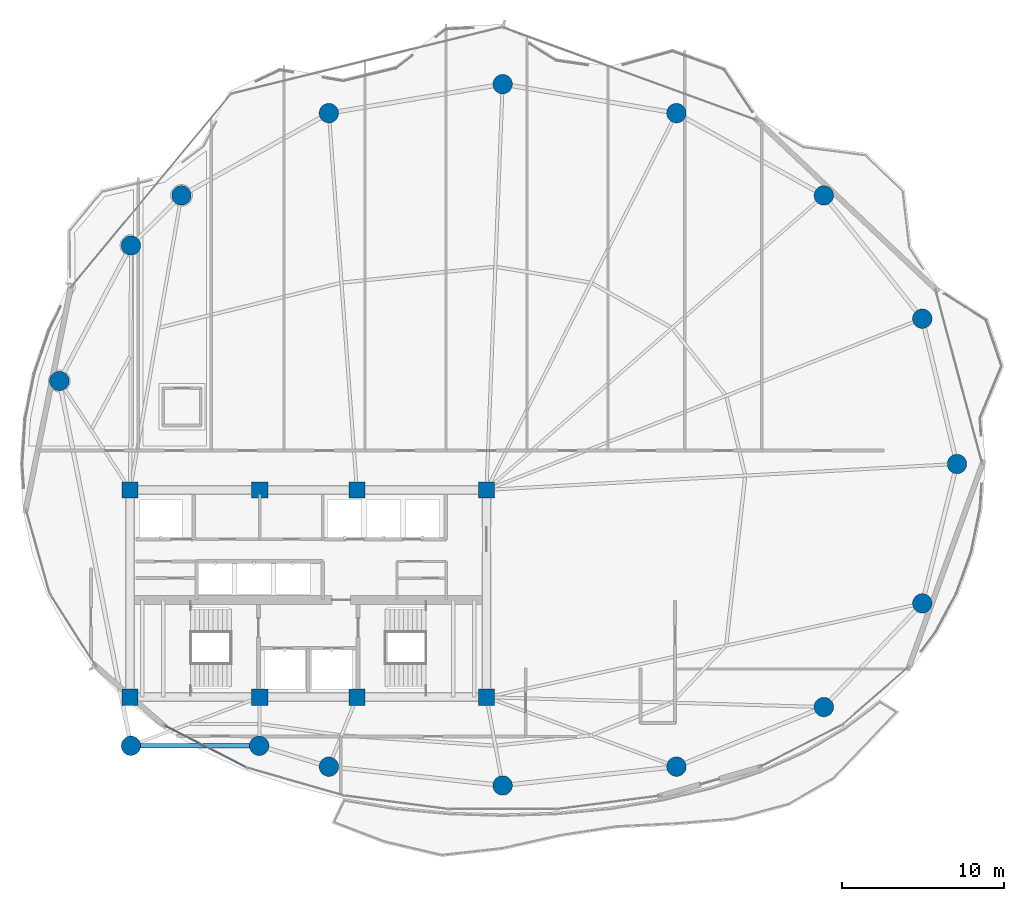
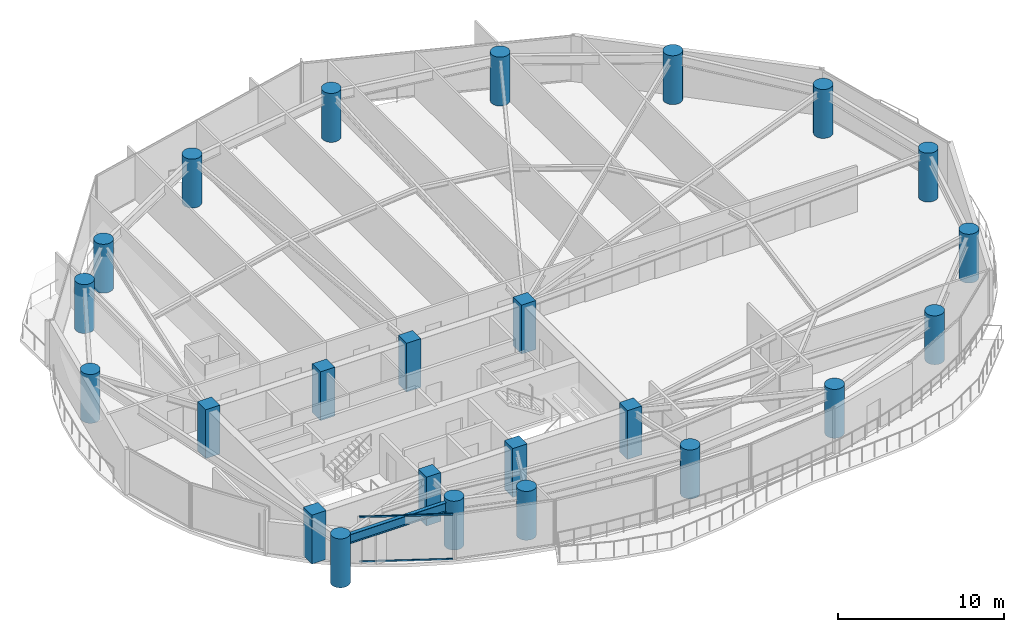
# One storey, part 1 of 28: 24 columns, 2 members, 1 beam, 1 element without a shape of its own.
"""IFC4 building model written with IfcOpenShell, lengths in metres."""

import ifcopenshell
import ifcopenshell.guid

model = None  # the IFC model being written
_history = None  # IfcOwnerHistory: only IFC2X3 demands one
_inside = {}  # id of a spatial element -> (the spatial element, [elements in it])
_under = {}  # id of a project, library or spatial element -> (it, [spatial elements below it])
_declared = {}  # id of a project -> (the project, [libraries it declares])
_typed = {}  # id of a type object -> (the type object, [elements of that type])
_made_of = {}  # id of a material, layer set ... -> (it, [elements and type objects made of it])


def new_model(schema):
    """Start an empty IFC model of exactly this schema.

    Asked for "IFC4X3", IfcOpenShell would pick the latest addendum, in which some entities
    have other attributes; the version numbers below select the first issue.
    IFC2X3 requires an IfcOwnerHistory on every rooted entity: one is made here for all.
    """
    global model, _history
    if schema == "IFC4X3":
        model = ifcopenshell.file(schema_version=(4, 3, 0, 0))
    else:
        model = ifcopenshell.file(schema=schema)
    _inside.clear()
    _under.clear()
    _declared.clear()
    _typed.clear()
    _made_of.clear()
    _history = None
    if model.schema == "IFC2X3":
        org = make("IfcOrganization", Name="unknown")
        user = make(
            "IfcPersonAndOrganization",
            ThePerson=make("IfcPerson", FamilyName="unknown"),
            TheOrganization=org,
        )
        app = make(
            "IfcApplication",
            ApplicationDeveloper=org,
            Version="unknown",
            ApplicationFullName="unknown",
            ApplicationIdentifier="unknown",
        )
        _history = make(
            "IfcOwnerHistory",
            OwningUser=user,
            OwningApplication=app,
            ChangeAction="ADDED",
            CreationDate=0,
        )
    return model


def make(cls, **values):
    """One entity of the class cls with the attributes given. An attribute that is None is left unset."""
    return model.create_entity(
        cls, **{name: value for name, value in values.items() if value is not None}
    )


def rooted(cls, **values):
    """An entity with a GlobalId (a new one), such as an element, a storey or a relation."""
    return make(cls, GlobalId=ifcopenshell.guid.new(), OwnerHistory=_history, **values)


def si_unit(unit_type, name, prefix=None):
    """IfcSIUnit, for example si_unit("LENGTHUNIT", "METRE", prefix="MILLI")."""
    return make("IfcSIUnit", UnitType=unit_type, Prefix=prefix, Name=name)


def assignment(units):
    """IfcUnitAssignment: the units of a project."""
    return None if units is None else make("IfcUnitAssignment", Units=units)


def point(xyz):
    """IfcCartesianPoint."""
    return None if xyz is None else make("IfcCartesianPoint", Coordinates=xyz)


def direction(xyz):
    """IfcDirection."""
    return None if xyz is None else make("IfcDirection", DirectionRatios=xyz)


def frame(location, z_axis=None, x_axis=None):
    """IfcAxis2Placement3D, a coordinate frame: its origin and axes. An axis left out is left unset."""
    return make(
        "IfcAxis2Placement3D",
        Location=point(location),
        Axis=direction(z_axis),
        RefDirection=direction(x_axis),
    )


def frame_2d(location, x_axis=None):
    """IfcAxis2Placement2D, a coordinate frame in the plane: its origin and x axis."""
    return make(
        "IfcAxis2Placement2D", Location=point(location), RefDirection=direction(x_axis)
    )


def origin():
    """The frame at (0, 0, 0) with its axes left unset."""
    return frame((0.0, 0.0, 0.0))


def origin_2d():
    """The frame at (0, 0) in the plane with its x axis left unset."""
    return frame_2d((0.0, 0.0))


def place(relative_to, where):
    """IfcLocalPlacement: puts the frame where relative to a parent placement (None: the world)."""
    return make(
        "IfcLocalPlacement", PlacementRelTo=relative_to, RelativePlacement=where
    )


def context(
    kind, dimensions, precision=None, world=None, true_north=None, identifier=None
):
    """IfcGeometricRepresentationContext, for example the 3D "Model" context."""
    return make(
        "IfcGeometricRepresentationContext",
        ContextIdentifier=identifier,
        ContextType=kind,
        CoordinateSpaceDimension=dimensions,
        Precision=precision,
        WorldCoordinateSystem=world,
        TrueNorth=true_north,
    )


def subcontext(parent, identifier, kind, view, scale=None):
    """IfcGeometricRepresentationSubContext, for example "Body" below "Model"."""
    return make(
        "IfcGeometricRepresentationSubContext",
        ContextIdentifier=identifier,
        ContextType=kind,
        ParentContext=parent,
        TargetScale=scale,
        TargetView=view,
    )


def project(units=None, contexts=None):
    """IfcProject with its units and contexts."""
    return rooted(
        "IfcProject",
        Name="project",
        RepresentationContexts=contexts,
        UnitsInContext=assignment(units),
    )


def spatial(cls, under=None, at=None, **own):
    """A site, building, storey or space (cls), placed at a placement, below another one or the project."""
    s = rooted(cls, ObjectPlacement=at, **own)
    if under is not None:
        _under.setdefault(under.id(), (under, []))[1].append(s)
    return s


def profile(cls, at=None, kind="AREA", **sizes):
    """A parametric profile (cls). Its sizes go by their IFC names, for example OverallWidth=200.0."""
    return make(cls, ProfileType=kind, Position=at, **sizes)


def rectangle(**sizes):
    """IfcRectangleProfileDef."""
    return profile("IfcRectangleProfileDef", **sizes)


def hollow_rectangle(**sizes):
    """IfcRectangleHollowProfileDef."""
    return profile("IfcRectangleHollowProfileDef", **sizes)


def circle(**sizes):
    """IfcCircleProfileDef."""
    return profile("IfcCircleProfileDef", **sizes)


def i_section(**sizes):
    """IfcIShapeProfileDef."""
    return profile("IfcIShapeProfileDef", **sizes)


def extrude(swept, where, along, depth):
    """IfcExtrudedAreaSolid: the profile swept, set in the frame where, extruded along a direction by depth."""
    return make(
        "IfcExtrudedAreaSolid",
        SweptArea=swept,
        Position=where,
        ExtrudedDirection=direction(along),
        Depth=depth,
    )


def shape(context_of_items, identifier, shape_type, items):
    """IfcShapeRepresentation: the items that make up one representation, for example the "Body"."""
    return make(
        "IfcShapeRepresentation",
        ContextOfItems=context_of_items,
        RepresentationIdentifier=identifier,
        RepresentationType=shape_type,
        Items=items,
    )


def material(Name=None, Category=None):
    """IfcMaterial."""
    return make("IfcMaterial", Name=Name, Category=Category)


def layer(
    of_material, thickness, ventilated=None, Name=None, Category=None, Priority=None
):
    """IfcMaterialLayer: one layer of a wall or slab, of a material (None: an air gap)."""
    return make(
        "IfcMaterialLayer",
        Material=of_material,
        LayerThickness=thickness,
        IsVentilated=ventilated,
        Name=Name,
        Category=Category,
        Priority=Priority,
    )


def layer_set(layers, Name=None):
    """IfcMaterialLayerSet."""
    return make("IfcMaterialLayerSet", MaterialLayers=layers, LayerSetName=Name)


def material_profile(
    of_material, cross_section, Name=None, Category=None, Priority=None
):
    """IfcMaterialProfile: a cross section and its material."""
    return make(
        "IfcMaterialProfile",
        Name=Name,
        Material=of_material,
        Profile=cross_section,
        Priority=Priority,
        Category=Category,
    )


def profile_set(profiles, Name=None, composite=None):
    """IfcMaterialProfileSet."""
    return make(
        "IfcMaterialProfileSet",
        Name=Name,
        MaterialProfiles=profiles,
        CompositeProfile=composite,
    )


def made_of(thing, what):
    """Note that an element or type object is made of a material, layer set ...; save() writes the relation."""
    if what is not None:
        _made_of.setdefault(what.id(), (what, []))[1].append(thing)
    return thing


def type_object(cls, material=None, **own):
    """A type object (cls), such as IfcWallType, which elements share."""
    return made_of(rooted(cls, **own), material)


def element(
    cls,
    number,
    at=None,
    inside=None,
    cuts=None,
    type_object=None,
    material=None,
    context=None,
    identifier="Body",
    shape_type=None,
    held_by="IfcProductDefinitionShape",
    body=None,
    shapes=None,
    **own,
):
    """One element of the class cls, such as IfcWall. Its Tag is "e" and its number.

    at: its placement. inside: the storey or other place that contains it. cuts: it is an
    opening in that element (IfcRelVoidsElement). A single representation is given by context,
    identifier, shape_type and body (its items); several are given by shapes. held_by: the class
    of the entity that holds the representations. save() writes the other relations.
    """
    e = rooted(cls, Tag="e%d" % number, ObjectPlacement=at, **own)
    if body is not None:
        shapes = [shape(context, identifier, shape_type, body)]
    if shapes is not None:
        e.Representation = make(held_by, Representations=shapes)
    if inside is not None:
        _inside.setdefault(inside.id(), (inside, []))[1].append(e)
    if cuts is not None:
        rooted(
            "IfcRelVoidsElement", RelatingBuildingElement=cuts, RelatedOpeningElement=e
        )
    if type_object is not None:
        _typed.setdefault(type_object.id(), (type_object, []))[1].append(e)
    return made_of(e, material)


def aggregate(whole, parts):
    """IfcRelAggregates: a whole, such as a stair, and the parts it consists of."""
    return rooted("IfcRelAggregates", RelatingObject=whole, RelatedObjects=parts)


def save(model, path):
    """Write the relations noted so far, then the file.

    IfcRelAggregates (storeys below a building ...), IfcRelContainedInSpatialStructure (elements
    in a storey), IfcRelDefinesByType, IfcRelAssociatesMaterial and IfcRelDeclares: one each for
    every whole, place, type object, material and project.
    """
    for whole, parts in _under.values():
        aggregate(whole, parts)
    for where, things in _inside.values():
        rooted(
            "IfcRelContainedInSpatialStructure",
            RelatedElements=things,
            RelatingStructure=where,
        )
    for kind, things in _typed.values():
        rooted("IfcRelDefinesByType", RelatedObjects=things, RelatingType=kind)
    for what, things in _made_of.values():
        rooted("IfcRelAssociatesMaterial", RelatedObjects=things, RelatingMaterial=what)
    for by, libraries in _declared.values():
        rooted("IfcRelDeclares", RelatingContext=by, RelatedDefinitions=libraries)
    model.write(path)


model = new_model("IFC4")

# Units and contexts
model_context = context("Model", 3, precision=1e-05, world=origin(), true_north=direction((0.0, 1.0)))
body_context = subcontext(model_context, "Body", "Model", "MODEL_VIEW")
ifc_project = project(units=[si_unit("LENGTHUNIT", "METRE"), si_unit("AREAUNIT", "SQUARE_METRE"), si_unit("VOLUMEUNIT", "CUBIC_METRE"), si_unit("PLANEANGLEUNIT", "RADIAN"), si_unit("MASSUNIT", "GRAM", prefix="KILO")], contexts=[model_context])

# Site, building, storey
site_placement = place(None, origin())
site = spatial("IfcSite", under=ifc_project, at=site_placement, CompositionType="ELEMENT")
building_placement = place(site_placement, origin())
building = spatial("IfcBuilding", under=site, at=building_placement, Name="Kazevale Care Tower and Concert Hall", CompositionType="ELEMENT")
storey_placement = place(building_placement, frame((0.0, 0.0, 135.0)))
storey = spatial("IfcBuildingStorey", under=building, at=storey_placement, Name="L35", CompositionType="ELEMENT", Elevation=135.0)

# Columns
ifc_material_1 = material(Name="Concrete C60", Category="concrete")
ifc_material_profile_1 = material_profile(ifc_material_1, rectangle(XDim=1.0, YDim=1.0, at=origin_2d()), Name="RC-SQ1000")
ifc_profile_set_1 = profile_set([ifc_material_profile_1], Name="Concrete C60")
column_type_1 = type_object("IfcColumnType", Name="Core Column SQ1000 C60", PredefinedType="COLUMN", material=ifc_profile_set_1)
for number, where, z_axis, x_axis, name in (
    (1, (22.0, 23.60009765625, 0.0), (0.0, 0.0, 1.0), (1.0, 0.0, 0.0), "col:L35:CC-01"),
    (2, (30.0, 23.60009765625, 0.0), (0.0, 0.0, 1.0), (1.0, 0.0, 0.0), "col:L35:CC-02"),
    (3, (36.0, 23.60009765625, 0.0), (0.0, 0.0, 1.0), (1.0, 0.0, 0.0), "col:L35:CC-03"),
    (4, (44.0, 23.60009765625, 0.0), (0.0, 0.0, 1.0), (1.0, 0.0, 0.0), "col:L35:CC-04"),
    (5, (44.0, 36.39990234375, 0.0), (0.0, 0.0, 1.0), (1.0, 0.0, 0.0), "col:L35:CC-05"),
    (6, (36.0, 36.39990234375, 0.0), (0.0, 0.0, 1.0), (1.0, 0.0, 0.0), "col:L35:CC-06"),
    (7, (30.0, 36.39990234375, 0.0), (0.0, 0.0, 1.0), (1.0, 0.0, 0.0), "col:L35:CC-07"),
    (8, (22.0, 36.39990234375, 0.0), (0.0, 0.0, 1.0), (1.0, 0.0, 0.0), "col:L35:CC-08"),
):
    element("IfcColumn", number, at=place(storey_placement, frame(where, z_axis=z_axis, x_axis=x_axis)), inside=storey, type_object=column_type_1, Name=name, PredefinedType="COLUMN", context=body_context, shape_type="SweptSolid", body=[
        extrude(rectangle(XDim=1.0, YDim=1.0, at=origin_2d()), origin(), (0.0, 0.0, 1.0), 3.60009765625),
    ])
ifc_material_profile_2 = material_profile(ifc_material_1, circle(Radius=0.60009765625, at=origin_2d()), Name="RC-CIR1200")
ifc_profile_set_2 = profile_set([ifc_material_profile_2], Name="Concrete C60")
column_type_2 = type_object("IfcColumnType", Name="Perimeter Column CIR1200 C60", PredefinedType="COLUMN", material=ifc_profile_set_2)
for number, where, z_axis, x_axis, name in (
    (9, (73.050048828125, 38.0, 0.0), (0.0, 0.0, 1.0), (1.0, 0.0, 0.0), "col:L35:PC-01"),
    (10, (70.909912109375, 46.969970703125, 0.0), (0.0, 0.0, 1.0), (1.0, 0.0, 0.0), "col:L35:PC-02"),
    (11, (64.830078125, 54.580078125, 0.0), (0.0, 0.0, 1.0), (1.0, 0.0, 0.0), "col:L35:PC-03"),
    (12, (55.72998046875, 59.659912109375, 0.0), (0.0, 0.0, 1.0), (1.0, 0.0, 0.0), "col:L35:PC-04"),
    (13, (45.0, 61.449951171875, 0.0), (0.0, 0.0, 1.0), (1.0, 0.0, 0.0), "col:L35:PC-05"),
    (14, (34.27001953125, 59.659912109375, 0.0), (0.0, 0.0, 1.0), (1.0, 0.0, 0.0), "col:L35:PC-06"),
    (15, (25.169921875, 54.580078125, 0.0), (0.0, 0.0, 1.0), (1.0, 0.0, 0.0), "col:L35:PC-07"),
    (16, (22.050048828125, 51.489990234375, 0.0), (0.0, 0.0, 1.0), (1.0, 0.0, 0.0), "col:L35:PC-08"),
    (17, (17.6298828125, 43.1201171875, 0.0), (0.0, 0.0, 1.0), (1.0, 0.0, 0.0), "col:L35:PC-09"),
    (18, (22.050048828125, 20.60009765625, 0.0), (0.0, 0.0, 1.0), (1.0, 0.0, 0.0), "col:L35:PC-10"),
    (19, (29.969970703125, 20.60009765625, 0.0), (0.0, 0.0, 1.0), (1.0, 0.0, 0.0), "col:L35:PC-11"),
    (20, (34.27001953125, 19.31005859375, 0.0), (0.0, 0.0, 1.0), (1.0, 0.0, 0.0), "col:L35:PC-12"),
    (21, (45.0, 18.14990234375, 0.0), (0.0, 0.0, 1.0), (1.0, 0.0, 0.0), "col:L35:PC-13"),
    (22, (55.72998046875, 19.31005859375, 0.0), (0.0, 0.0, 1.0), (1.0, 0.0, 0.0), "col:L35:PC-14"),
    (23, (64.830078125, 22.989990234375, 0.0), (0.0, 0.0, 1.0), (1.0, 0.0, 0.0), "col:L35:PC-15"),
    (24, (70.909912109375, 29.389892578125, 0.0), (0.0, 0.0, 1.0), (1.0, 0.0, 0.0), "col:L35:PC-16"),
):
    element("IfcColumn", number, at=place(storey_placement, frame(where, z_axis=z_axis, x_axis=x_axis)), inside=storey, type_object=column_type_2, Name=name, PredefinedType="COLUMN", context=body_context, shape_type="SweptSolid", body=[
        extrude(circle(Radius=0.60009765625, at=origin_2d()), origin(), (0.0, 0.0, 1.0), 3.60009765625),
    ])

# Curtain wall, members
ifc_material_2 = material(Name="Aluminium 6063-T6 and Low-E Glass", Category="aluminium")
ifc_layer = layer(ifc_material_2, 0.179931640625)
ifc_layer_set = layer_set([ifc_layer], Name="Aluminium 6063-T6 and Low-E Glass")
curtain_wall_type = type_object("IfcCurtainWallType", Name="Sheltered Concave Balcony Curtain Wall CW-5", PredefinedType="NOTDEFINED", material=ifc_layer_set)
curtain_wall_placement = place(storey_placement, origin())
curtain_wall = element("IfcCurtainWall", 25, at=curtain_wall_placement, inside=storey, type_object=curtain_wall_type, Name="cw:L35:f09", PredefinedType="NOTDEFINED")
ifc_material_3 = material(Name="Aluminium 6063-T6", Category="aluminium")
ifc_material_profile_3 = material_profile(ifc_material_3, hollow_rectangle(XDim=0.074951171875, YDim=0.1201171875, WallThickness=0.00390625, at=origin_2d()), Name="ALU75x120x4")
ifc_profile_set_3 = profile_set([ifc_material_profile_3], Name="Aluminium 6063-T6")
member_type = type_object("IfcMemberType", Name="CW-5 Transom ALU75x120x4", PredefinedType="USERDEFINED", material=ifc_profile_set_3)
member_1_placement = place(storey_placement, frame((29.144287109375, 19.279296875, 0.03759765625), z_axis=(-0.890142600475, 0.455682072084, 0.0), x_axis=(-0.455682072084, -0.890142600475, 0.0)))
member_1 = element("IfcMember", 26, at=member_1_placement, type_object=member_type, Name="CW-5 transom 1.1", ObjectType="TRANSOM", PredefinedType="USERDEFINED", context=body_context, shape_type="SweptSolid", body=[
    extrude(hollow_rectangle(XDim=0.074951171875, YDim=0.1201171875, WallThickness=0.00390625, at=origin_2d()), origin(), (0.0, 0.0, 1.0), 5.671630859375),
])
member_2_placement = place(storey_placement, frame((29.144287109375, 19.279296875, 3.322509765625), z_axis=(-0.890142600475, 0.455682072084, 0.0), x_axis=(-0.455682072084, -0.890142600475, 0.0)))
member_2 = element("IfcMember", 27, at=member_2_placement, type_object=member_type, Name="CW-5 transom 1.2", ObjectType="TRANSOM", PredefinedType="USERDEFINED", context=body_context, shape_type="SweptSolid", body=[
    extrude(hollow_rectangle(XDim=0.074951171875, YDim=0.1201171875, WallThickness=0.00390625, at=origin_2d()), origin(), (0.0, 0.0, 1.0), 5.671630859375),
])
aggregate(curtain_wall, [member_1, member_2])

# Beam
ifc_material_4 = material(Name="Steel ASTM A572 Gr 50", Category="steel")
ifc_material_profile_4 = material_profile(ifc_material_4, i_section(OverallWidth=0.256103515625, OverallDepth=0.693115234375, WebThickness=0.014404296875, FlangeThickness=0.023681640625, at=origin_2d()), Name="W690x170")
ifc_profile_set_4 = profile_set([ifc_material_profile_4], Name="Steel ASTM A572 Gr 50")
beam_type = type_object("IfcBeamType", Name="Waist Ring Beam W690x170", PredefinedType="BEAM", material=ifc_profile_set_4)
beam_placement = place(storey_placement, frame((22.050048828125, 20.60009765625, 3.013427734375), z_axis=(1.0, 0.0, 0.0), x_axis=(0.0, 1.0, 0.0)))
element("IfcBeam", 28, at=beam_placement, inside=storey, type_object=beam_type, Name="beam:L35:ring:10", PredefinedType="BEAM", context=body_context, shape_type="SweptSolid", body=[
    extrude(i_section(OverallWidth=0.256103515625, OverallDepth=0.693115234375, WebThickness=0.014404296875, FlangeThickness=0.023681640625, at=origin_2d()), origin(), (0.0, 0.0, 1.0), 7.919921875),
])

save(model, "model.ifc")
